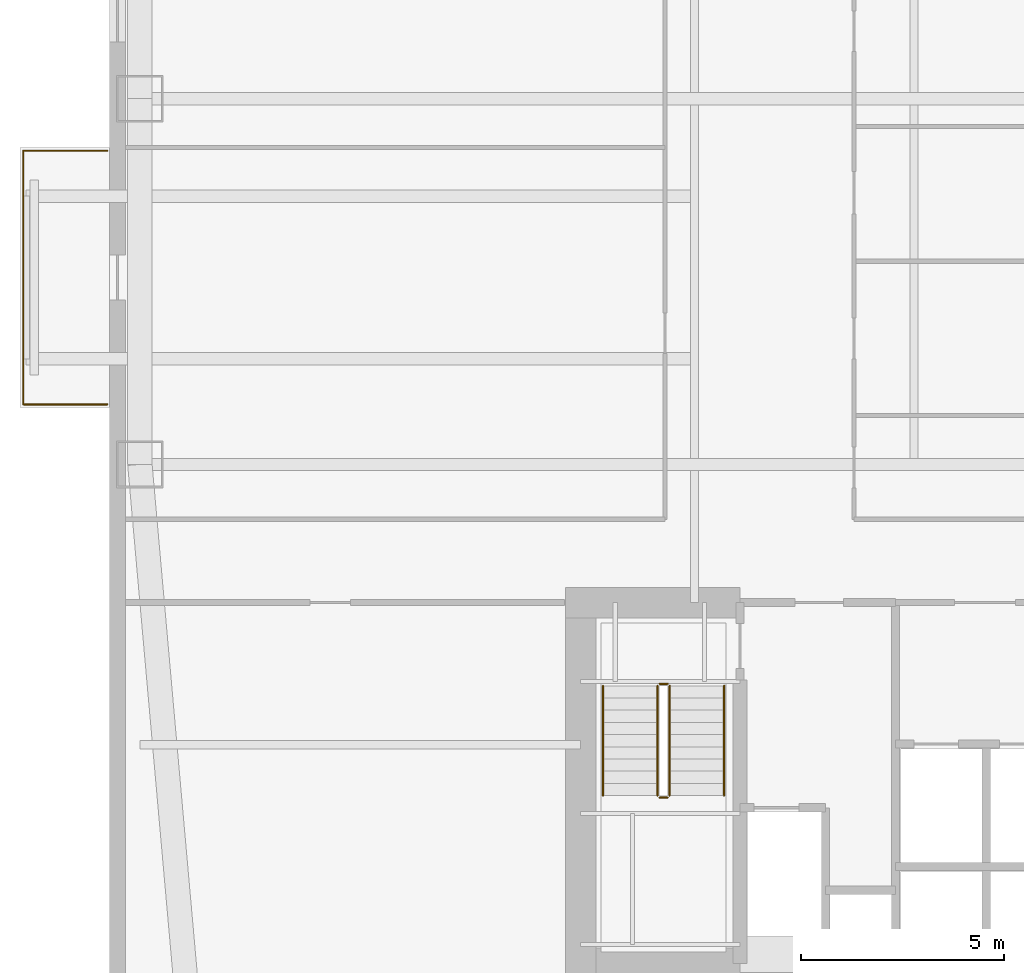
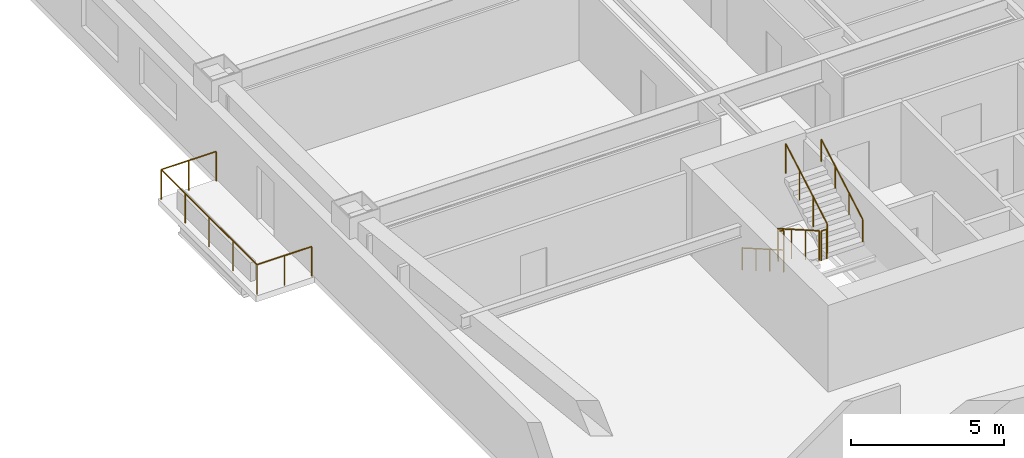
# One storey, part 12 of 15: 7 railings.
"""IFC4 building model written with IfcOpenShell, lengths in metres."""

from ifc_helpers import new_model, si_unit, direction, frame, origin, origin_2d, place, context, subcontext, project, spatial, circle, extrude, material, type_object, element, save


model = new_model("IFC4")

# Units and contexts
model_context = context("Model", 3, precision=1e-05, world=origin(), true_north=direction((0.0, 1.0)))
body_context = subcontext(model_context, "Body", "Model", "MODEL_VIEW")
ifc_project = project(units=[si_unit("LENGTHUNIT", "METRE"), si_unit("AREAUNIT", "SQUARE_METRE"), si_unit("VOLUMEUNIT", "CUBIC_METRE"), si_unit("PLANEANGLEUNIT", "RADIAN"), si_unit("MASSUNIT", "GRAM", prefix="KILO")], contexts=[model_context])

# Site, building, storey
site_placement = place(None, origin())
site = spatial("IfcSite", under=ifc_project, at=site_placement, CompositionType="ELEMENT")
building_placement = place(site_placement, origin())
building = spatial("IfcBuilding", under=site, at=building_placement, Name="Qiaolan Cultural Towers", CompositionType="ELEMENT")
storey_placement = place(building_placement, frame((0.0, 0.0, 81.64990234375)))
storey = spatial("IfcBuildingStorey", under=building, at=storey_placement, Name="L20", CompositionType="ELEMENT", Elevation=81.64990234375)

# Railings
ifc_material_1 = material(Name="Laminated SentryGlas & Stainless Steel S31608 Balustrade", Category="steel")
railing_type_1 = type_object("IfcRailingType", Name="GRD-TERR-1200", PredefinedType="BALUSTRADE", material=ifc_material_1)
railing_1_placement = place(storey_placement, frame((10.14990234375, 26.47998046875, 0.0)))
element("IfcRailing", 1, at=railing_1_placement, inside=storey, type_object=railing_type_1, Name="L20 T1 Tree Balcony Guardrail W", PredefinedType="BALUSTRADE", context=body_context, shape_type="SweptSolid", body=[
    extrude(circle(Radius=0.02392578125, at=origin_2d()), frame((0.0, 0.0, 1.17578125), z_axis=(-1.0, 0.0, 0.0), x_axis=(0.0, -1.0, 0.0)), (0.0, 0.0, 1.0), 2.06982421875),
    extrude(circle(Radius=0.02392578125, at=origin_2d()), frame((-2.06982421875, 0.0, 1.17578125), z_axis=(0.0, 1.0, 0.0), x_axis=(-1.0, 0.0, 0.0)), (0.0, 0.0, 1.0), 6.239990234375),
    extrude(circle(Radius=0.02392578125, at=origin_2d()), frame((-2.06982421875, 6.239990234375, 1.17578125), z_axis=(1.0, 0.0, 0.0), x_axis=(0.0, 1.0, 0.0)), (0.0, 0.0, 1.0), 2.06982421875),
    extrude(circle(Radius=0.02099609375, at=origin_2d()), origin(), (0.0, 0.0, 1.0), 1.15185546875),
    extrude(circle(Radius=0.02099609375, at=origin_2d()), frame((-1.034912109375, 0.0, 0.0)), (0.0, 0.0, 1.0), 1.15185546875),
    extrude(circle(Radius=0.02099609375, at=origin_2d()), frame((-2.06982421875, 0.0, 0.0)), (0.0, 0.0, 1.0), 1.15185546875),
    extrude(circle(Radius=0.02099609375, at=origin_2d()), frame((-2.06982421875, 1.56005859375, 0.0)), (0.0, 0.0, 1.0), 1.15185546875),
    extrude(circle(Radius=0.02099609375, at=origin_2d()), frame((-2.06982421875, 3.1201171875, 0.0)), (0.0, 0.0, 1.0), 1.15185546875),
    extrude(circle(Radius=0.02099609375, at=origin_2d()), frame((-2.06982421875, 4.679931640625, 0.0)), (0.0, 0.0, 1.0), 1.15185546875),
    extrude(circle(Radius=0.02099609375, at=origin_2d()), frame((-2.06982421875, 6.239990234375, 0.0)), (0.0, 0.0, 1.0), 1.15185546875),
    extrude(circle(Radius=0.02099609375, at=origin_2d()), frame((-1.034912109375, 6.239990234375, 0.0)), (0.0, 0.0, 1.0), 1.15185546875),
    extrude(circle(Radius=0.02099609375, at=origin_2d()), frame((0.0, 6.239990234375, 0.0)), (0.0, 0.0, 1.0), 1.15185546875),
])
ifc_material_2 = material(Name="Galvanized Painted Steel Stair Guardrail", Category="steel")
railing_type_2 = type_object("IfcRailingType", Name="RL-STAIR-GRD", PredefinedType="GUARDRAIL", material=ifc_material_2)
railing_2_placement = place(storey_placement, frame((23.68994140625, 19.550048828125, 0.172607421875)))
element("IfcRailing", 2, at=railing_2_placement, inside=storey, type_object=railing_type_2, Name="L20 ST-W1 stair guard 1", PredefinedType="GUARDRAIL", context=body_context, shape_type="SweptSolid", body=[
    extrude(circle(Radius=0.02392578125, at=origin_2d()), frame((0.0, 0.0, 1.17578125), z_axis=(0.0, -0.866903762492, 0.498475542607), x_axis=(1.0, 0.0, 0.0)), (0.0, 0.0, 1.0), 3.114501953125),
    extrude(circle(Radius=0.02099609375, at=origin_2d()), origin(), (0.0, 0.0, 1.0), 1.15185546875),
    extrude(circle(Radius=0.02099609375, at=origin_2d()), frame((0.0, -0.89990234375, 0.517578125)), (0.0, 0.0, 1.0), 1.15185546875),
    extrude(circle(Radius=0.02099609375, at=origin_2d()), frame((0.0, -1.800048828125, 1.034912109375)), (0.0, 0.0, 1.0), 1.15185546875),
    extrude(circle(Radius=0.02099609375, at=origin_2d()), frame((0.0, -2.699951171875, 1.552490234375)), (0.0, 0.0, 1.0), 1.15185546875),
])
railing_3_placement = place(storey_placement, frame((23.739990234375, 16.800048828125, 1.72509765625)))
element("IfcRailing", 3, at=railing_3_placement, inside=storey, type_object=railing_type_2, Name="L20 ST-W1 stair guard 2", PredefinedType="GUARDRAIL", context=body_context, shape_type="SweptSolid", body=[
    extrude(circle(Radius=0.02392578125, at=origin_2d()), frame((0.0, 0.0, 1.17578125), z_axis=(1.0, 0.0, 0.0), x_axis=(0.0, 1.0, 0.0)), (0.0, 0.0, 1.0), 0.199951171875),
    extrude(circle(Radius=0.02099609375, at=origin_2d()), origin(), (0.0, 0.0, 1.0), 1.15185546875),
    extrude(circle(Radius=0.02099609375, at=origin_2d()), frame((0.199951171875, 0.0, 0.0)), (0.0, 0.0, 1.0), 1.15185546875),
])
railing_4_placement = place(storey_placement, frame((23.989990234375, 16.85009765625, 1.897705078125)))
element("IfcRailing", 4, at=railing_4_placement, inside=storey, type_object=railing_type_2, Name="L20 ST-W1 stair guard 3", PredefinedType="GUARDRAIL", context=body_context, shape_type="SweptSolid", body=[
    extrude(circle(Radius=0.02392578125, at=origin_2d()), frame((0.0, 0.0, 1.17578125), z_axis=(0.0, 0.866903762492, 0.498475542607), x_axis=(-1.0, 0.0, 0.0)), (0.0, 0.0, 1.0), 3.114501953125),
    extrude(circle(Radius=0.02099609375, at=origin_2d()), origin(), (0.0, 0.0, 1.0), 1.15185546875),
    extrude(circle(Radius=0.02099609375, at=origin_2d()), frame((0.0, 0.89990234375, 0.517578125)), (0.0, 0.0, 1.0), 1.15185546875),
    extrude(circle(Radius=0.02099609375, at=origin_2d()), frame((0.0, 1.800048828125, 1.034912109375)), (0.0, 0.0, 1.0), 1.15185546875),
    extrude(circle(Radius=0.02099609375, at=origin_2d()), frame((0.0, 2.699951171875, 1.552490234375)), (0.0, 0.0, 1.0), 1.15185546875),
])
railing_5_placement = place(storey_placement, frame((23.739990234375, 19.60009765625, 0.0)))
element("IfcRailing", 5, at=railing_5_placement, inside=storey, type_object=railing_type_2, Name="L20 ST-W1 stair guard 4", PredefinedType="GUARDRAIL", context=body_context, shape_type="SweptSolid", body=[
    extrude(circle(Radius=0.02392578125, at=origin_2d()), frame((0.0, 0.0, 1.17578125), z_axis=(1.0, 0.0, 0.0), x_axis=(0.0, 1.0, 0.0)), (0.0, 0.0, 1.0), 0.199951171875),
    extrude(circle(Radius=0.02099609375, at=origin_2d()), origin(), (0.0, 0.0, 1.0), 1.15185546875),
    extrude(circle(Radius=0.02099609375, at=origin_2d()), frame((0.199951171875, 0.0, 0.0)), (0.0, 0.0, 1.0), 1.15185546875),
])
ifc_material_3 = material(Name="Stainless Steel S30408 Tubular Handrail", Category="steel")
railing_type_3 = type_object("IfcRailingType", Name="RL-STAIR-HR", PredefinedType="HANDRAIL", material=ifc_material_3)
railing_6_placement = place(storey_placement, frame((22.35009765625, 19.550048828125, 0.172607421875)))
element("IfcRailing", 6, at=railing_6_placement, inside=storey, type_object=railing_type_3, Name="L20 ST-W1 stair handrail 1", PredefinedType="HANDRAIL", context=body_context, shape_type="SweptSolid", body=[
    extrude(circle(Radius=0.02392578125, at=origin_2d()), frame((0.0, 0.0, 0.8759765625), z_axis=(0.0, -0.866903762492, 0.498475542607), x_axis=(1.0, 0.0, 0.0)), (0.0, 0.0, 1.0), 3.114501953125),
    extrude(circle(Radius=0.02099609375, at=origin_2d()), origin(), (0.0, 0.0, 1.0), 0.851806640625),
    extrude(circle(Radius=0.02099609375, at=origin_2d()), frame((0.0, -0.89990234375, 0.517578125)), (0.0, 0.0, 1.0), 0.851806640625),
    extrude(circle(Radius=0.02099609375, at=origin_2d()), frame((0.0, -1.800048828125, 1.034912109375)), (0.0, 0.0, 1.0), 0.851806640625),
    extrude(circle(Radius=0.02099609375, at=origin_2d()), frame((0.0, -2.699951171875, 1.552490234375)), (0.0, 0.0, 1.0), 0.851806640625),
])
railing_7_placement = place(storey_placement, frame((25.330078125, 16.85009765625, 1.897705078125)))
element("IfcRailing", 7, at=railing_7_placement, inside=storey, type_object=railing_type_3, Name="L20 ST-W1 stair handrail 2", PredefinedType="HANDRAIL", context=body_context, shape_type="SweptSolid", body=[
    extrude(circle(Radius=0.02392578125, at=origin_2d()), frame((0.0, 0.0, 0.8759765625), z_axis=(0.0, 0.866903762492, 0.498475542607), x_axis=(-1.0, 0.0, 0.0)), (0.0, 0.0, 1.0), 3.114501953125),
    extrude(circle(Radius=0.02099609375, at=origin_2d()), origin(), (0.0, 0.0, 1.0), 0.851806640625),
    extrude(circle(Radius=0.02099609375, at=origin_2d()), frame((0.0, 0.89990234375, 0.517578125)), (0.0, 0.0, 1.0), 0.851806640625),
    extrude(circle(Radius=0.02099609375, at=origin_2d()), frame((0.0, 1.800048828125, 1.034912109375)), (0.0, 0.0, 1.0), 0.851806640625),
    extrude(circle(Radius=0.02099609375, at=origin_2d()), frame((0.0, 2.699951171875, 1.552490234375)), (0.0, 0.0, 1.0), 0.851806640625),
])

save(model, "model.ifc")
